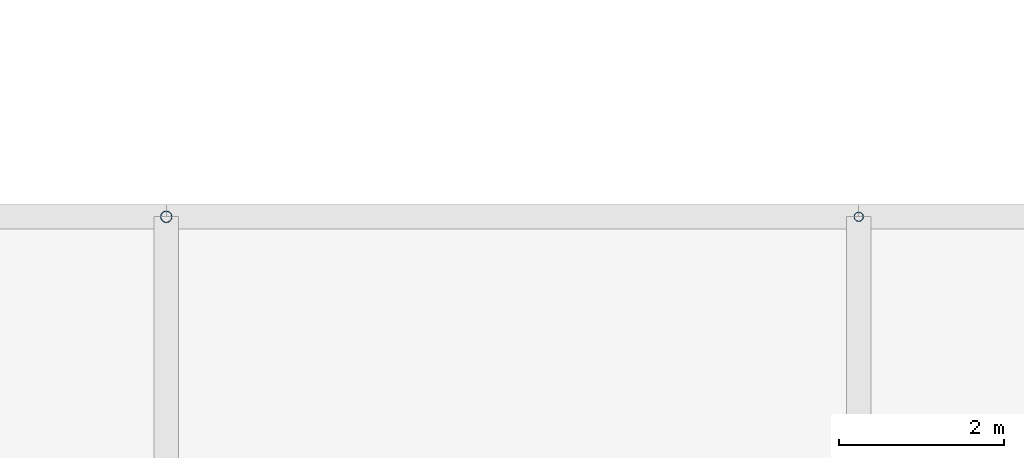
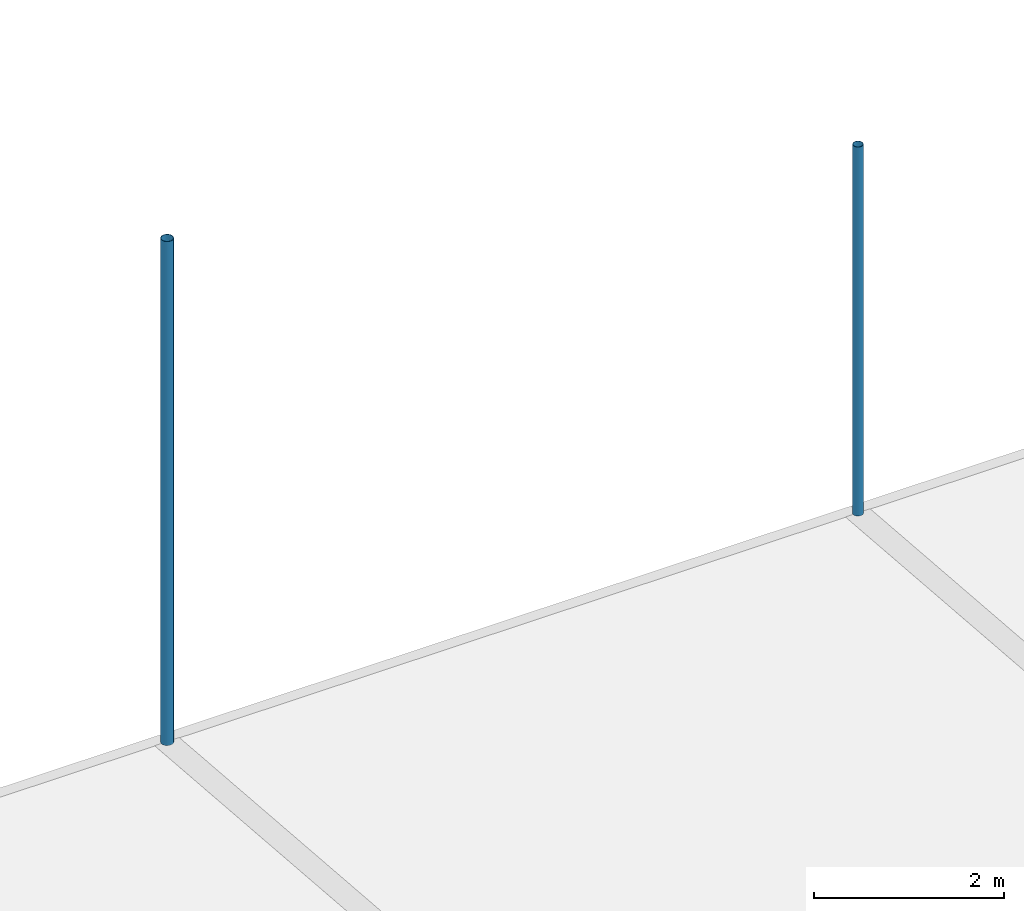
# One storey, part 33 of 37: 2 discrete accessories.
"""IFC4 building model written with IfcOpenShell, lengths in metres."""

from ifc_helpers import new_model, si_unit, direction, frame, origin, origin_2d, place, context, subcontext, project, spatial, hollow_circle, extrude, material, material_profile, profile_set, type_object, element, save


model = new_model("IFC4")

# Units and contexts
model_context = context("Model", 3, precision=1e-05, world=origin(), true_north=direction((0.0, 1.0)))
body_context = subcontext(model_context, "Body", "Model", "MODEL_VIEW")
ifc_project = project(units=[si_unit("LENGTHUNIT", "METRE"), si_unit("AREAUNIT", "SQUARE_METRE"), si_unit("VOLUMEUNIT", "CUBIC_METRE"), si_unit("PLANEANGLEUNIT", "RADIAN"), si_unit("MASSUNIT", "GRAM", prefix="KILO")], contexts=[model_context])

# Site, building, storey
site_placement = place(None, origin())
site = spatial("IfcSite", under=ifc_project, at=site_placement, CompositionType="ELEMENT")
building_placement = place(site_placement, origin())
building = spatial("IfcBuilding", under=site, at=building_placement, Name="Rain Tree Exposition and Congress Centre", CompositionType="ELEMENT")
storey_placement = place(building_placement, frame((0.0, 0.0, 25.0)))
storey = spatial("IfcBuildingStorey", under=building, at=storey_placement, Name="ROOF VAULT LOW", CompositionType="ELEMENT", Elevation=25.0)

# Discrete accessories
ifc_material_1 = material(Name="Steel S355J2H", Category="steel")
ifc_material_profile_1 = material_profile(ifc_material_1, hollow_circle(Radius=0.05712890625, WallThickness=0.00439453125, at=origin_2d()), Name="CHS 114x4.5")
ifc_profile_set_1 = profile_set([ifc_material_profile_1], Name="Steel S355J2H")
discrete_accessory_type_1 = type_object("IfcDiscreteAccessoryType", Name="Roof skin post CHS 114x4.5", PredefinedType="BRACKET", material=ifc_profile_set_1)
discrete_accessory_1_placement = place(storey_placement, frame((92.39990234375, 168.0, 0.4892578125), z_axis=(0.0, 0.0, 1.0), x_axis=(1.0, 0.0, 0.0)))
element("IfcDiscreteAccessory", 1, at=discrete_accessory_1_placement, inside=storey, type_object=discrete_accessory_type_1, Name="Roof skin post A131", PredefinedType="BRACKET", context=body_context, shape_type="SweptSolid", body=[
    extrude(hollow_circle(Radius=0.05712890625, WallThickness=0.00439453125, at=origin_2d()), origin(), (0.0, 0.0, 1.0), 4.744384765625),
])
ifc_material_2 = material(Name="Steel S355J2H", Category="steel")
ifc_material_profile_2 = material_profile(ifc_material_2, hollow_circle(Radius=0.06982421875, WallThickness=0.0048828125, at=origin_2d()), Name="CHS 140x5")
ifc_profile_set_2 = profile_set([ifc_material_profile_2], Name="Steel S355J2H")
discrete_accessory_type_2 = type_object("IfcDiscreteAccessoryType", Name="Roof skin post CHS 140x5", PredefinedType="BRACKET", material=ifc_profile_set_2)
discrete_accessory_2_placement = place(storey_placement, frame((84.0, 168.0, 0.4892578125), z_axis=(0.0, 0.0, 1.0), x_axis=(1.0, 0.0, 0.0)))
element("IfcDiscreteAccessory", 2, at=discrete_accessory_2_placement, inside=storey, type_object=discrete_accessory_type_2, Name="Roof skin post A130", PredefinedType="BRACKET", context=body_context, shape_type="SweptSolid", body=[
    extrude(hollow_circle(Radius=0.06982421875, WallThickness=0.0048828125, at=origin_2d()), origin(), (0.0, 0.0, 1.0), 6.47900390625),
])

save(model, "model.ifc")
